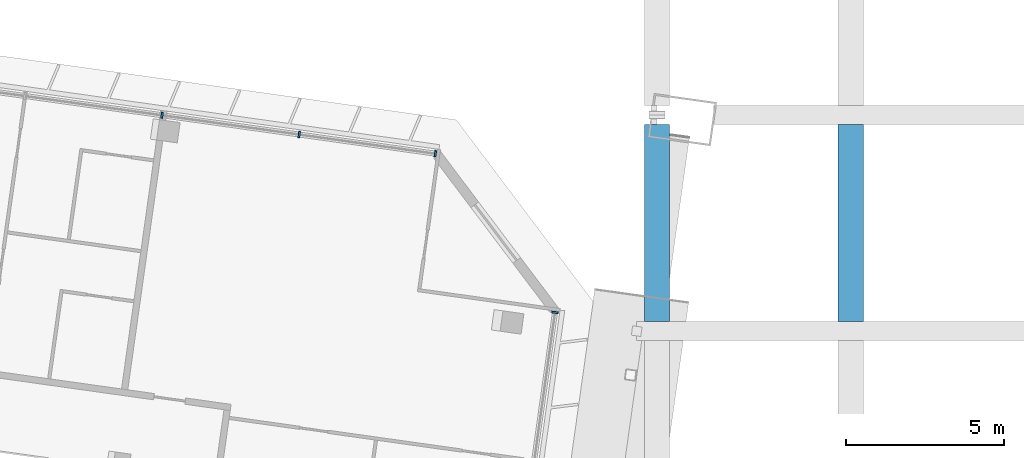
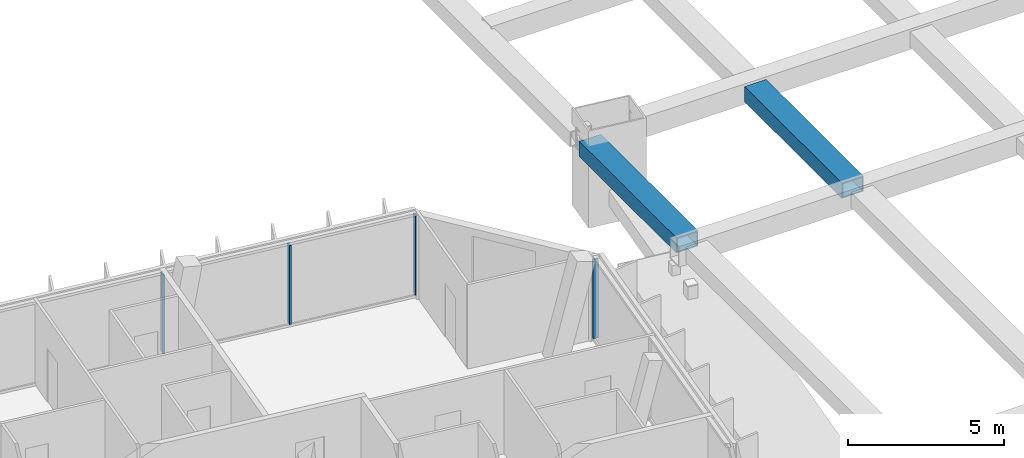
# One storey, part 10 of 36: 6 members, 2 elements without a shape of their own.
"""IFC4 building model written with IfcOpenShell, lengths in metres."""

from ifc_helpers import new_model, si_unit, direction, frame, origin, origin_2d, place, context, subcontext, project, spatial, rectangle, hollow_rectangle, extrude, material, material_profile, profile_set, type_object, element, aggregate, save


model = new_model("IFC4")

# Units and contexts
model_context = context("Model", 3, precision=1e-05, world=origin(), true_north=direction((0.0, 1.0)))
body_context = subcontext(model_context, "Body", "Model", "MODEL_VIEW")
ifc_project = project(units=[si_unit("LENGTHUNIT", "METRE"), si_unit("AREAUNIT", "SQUARE_METRE"), si_unit("VOLUMEUNIT", "CUBIC_METRE"), si_unit("PLANEANGLEUNIT", "RADIAN"), si_unit("MASSUNIT", "GRAM", prefix="KILO")], contexts=[model_context])

# Site, building, storey
site_placement = place(None, origin())
site = spatial("IfcSite", under=ifc_project, at=site_placement, CompositionType="ELEMENT")
building_placement = place(site_placement, origin())
building = spatial("IfcBuilding", under=site, at=building_placement, Name="Mirante Cascada Hotel Towers", CompositionType="ELEMENT")
storey_placement = place(building_placement, frame((0.0, 0.0, 254.6)))
storey = spatial("IfcBuildingStorey", under=building, at=storey_placement, Name="L61", CompositionType="ELEMENT", Elevation=254.6)

# Members
ifc_material_1 = material(Name="Steel ASTM A572 Gr 50", Category="steel")
ifc_material_profile_1 = material_profile(ifc_material_1, hollow_rectangle(XDim=0.6, YDim=0.8, WallThickness=0.04, at=origin_2d()), Name="Box chord 800x600x40 ASTM A572 Gr 50")
ifc_profile_set_1 = profile_set([ifc_material_profile_1], Name="Steel ASTM A572 Gr 50")
member_type_1 = type_object("IfcMemberType", Name="Box chord 800x600x40 ASTM A572 Gr 50", PredefinedType="CHORD", material=ifc_profile_set_1)
for number, where, z_axis, x_axis, name in (
    (1, (-12.2514, 10.2142, 2.9), (0.0, 1.0, 0.0), (0.0, 0.0, 1.0), "dchord sky park L62 3"),
    (2, (-6.1257, 10.2142, 2.9), (0.0, 1.0, 0.0), (0.0, 0.0, 1.0), "dchord sky park L62 7"),
):
    element("IfcMember", number, at=place(storey_placement, frame(where, z_axis=z_axis, x_axis=x_axis)), inside=storey, type_object=member_type_1, Name=name, PredefinedType="CHORD", context=body_context, shape_type="SweptSolid", body=[
        extrude(hollow_rectangle(XDim=0.6, YDim=0.8, WallThickness=0.04, at=origin_2d()), origin(), (0.0, 0.0, 1.0), 6.2333),
    ])

# Curtain wall, members
ifc_material_2 = material(Name="Aluminium mullion and transom frame with clear laminated glass", Category="aluminium")
curtain_wall_type_1 = type_object("IfcCurtainWallType", Name="Ribbon curtain wall ECW1", PredefinedType="NOTDEFINED", material=ifc_material_2)
curtain_wall_1_placement = place(storey_placement, origin())
curtain_wall_1 = element("IfcCurtainWall", 3, at=curtain_wall_1_placement, inside=storey, type_object=curtain_wall_type_1, Name="Front ribbon wall T1 L61", PredefinedType="NOTDEFINED")
ifc_material_3 = material(Name="Anodised aluminium extrusion", Category="aluminium")
ifc_material_profile_2 = material_profile(ifc_material_3, rectangle(XDim=0.2, YDim=0.065, at=origin_2d()), Name="ECW1 MULLION 65x200")
ifc_profile_set_2 = profile_set([ifc_material_profile_2], Name="Anodised aluminium extrusion")
member_type_2 = type_object("IfcMemberType", Name="ECW1 mullion 65x200", PredefinedType="MULLION", material=ifc_profile_set_2)
member_1_placement = place(storey_placement, frame((-27.9067, 16.7411, 0.1), z_axis=(0.0, 0.0, 1.0), x_axis=(0.1391731, 0.9902681, 0.0)))
member_1 = element("IfcMember", 4, at=member_1_placement, type_object=member_type_2, Name="ECW1 mullion 6", PredefinedType="MULLION", context=body_context, shape_type="SweptSolid", body=[
    extrude(rectangle(XDim=0.2, YDim=0.065, at=origin_2d()), origin(), (0.0, 0.0, 1.0), 3.1),
])
member_2_placement = place(storey_placement, frame((-23.5688, 16.1314, 0.1), z_axis=(0.0, 0.0, 1.0), x_axis=(0.1391731, 0.9902681, 0.0)))
member_2 = element("IfcMember", 5, at=member_2_placement, type_object=member_type_2, Name="ECW1 mullion 7", PredefinedType="MULLION", context=body_context, shape_type="SweptSolid", body=[
    extrude(rectangle(XDim=0.2, YDim=0.065, at=origin_2d()), origin(), (0.0, 0.0, 1.0), 3.1),
])
member_3_placement = place(storey_placement, frame((-19.2631, 15.5263, 0.1), z_axis=(0.0, 0.0, 1.0), x_axis=(0.1391731, 0.9902681, 0.0)))
member_3 = element("IfcMember", 6, at=member_3_placement, type_object=member_type_2, Name="ECW1 mullion 8", PredefinedType="MULLION", context=body_context, shape_type="SweptSolid", body=[
    extrude(rectangle(XDim=0.2, YDim=0.065, at=origin_2d()), origin(), (0.0, 0.0, 1.0), 3.1),
])
aggregate(curtain_wall_1, [member_1, member_2, member_3])

# Curtain wall, member
ifc_material_4 = material(Name="Aluminium mullion and transom frame with clear laminated glass", Category="aluminium")
curtain_wall_type_2 = type_object("IfcCurtainWallType", Name="End ribbon curtain wall ECW2", PredefinedType="NOTDEFINED", material=ifc_material_4)
curtain_wall_2_placement = place(storey_placement, origin())
curtain_wall_2 = element("IfcCurtainWall", 7, at=curtain_wall_2_placement, inside=storey, type_object=curtain_wall_type_2, Name="Inner end wall T1 L61", PredefinedType="NOTDEFINED")
ifc_material_5 = material(Name="Anodised aluminium extrusion", Category="aluminium")
ifc_material_profile_3 = material_profile(ifc_material_5, rectangle(XDim=0.2, YDim=0.065, at=origin_2d()), Name="ECW2 MULLION 65x200")
ifc_profile_set_3 = profile_set([ifc_material_profile_3], Name="Anodised aluminium extrusion")
member_type_3 = type_object("IfcMemberType", Name="ECW2 mullion 65x200", PredefinedType="MULLION", material=ifc_profile_set_3)
member_4_placement = place(storey_placement, frame((-15.4803, 10.5063, 0.1), z_axis=(0.0, 0.0, 1.0), x_axis=(0.9902681, -0.1391731, 0.0)))
member_4 = element("IfcMember", 8, at=member_4_placement, type_object=member_type_3, Name="ECW2 mullion 1", PredefinedType="MULLION", context=body_context, shape_type="SweptSolid", body=[
    extrude(rectangle(XDim=0.2, YDim=0.065, at=origin_2d()), origin(), (0.0, 0.0, 1.0), 3.1),
])
aggregate(curtain_wall_2, [member_4])

save(model, "model.ifc")
